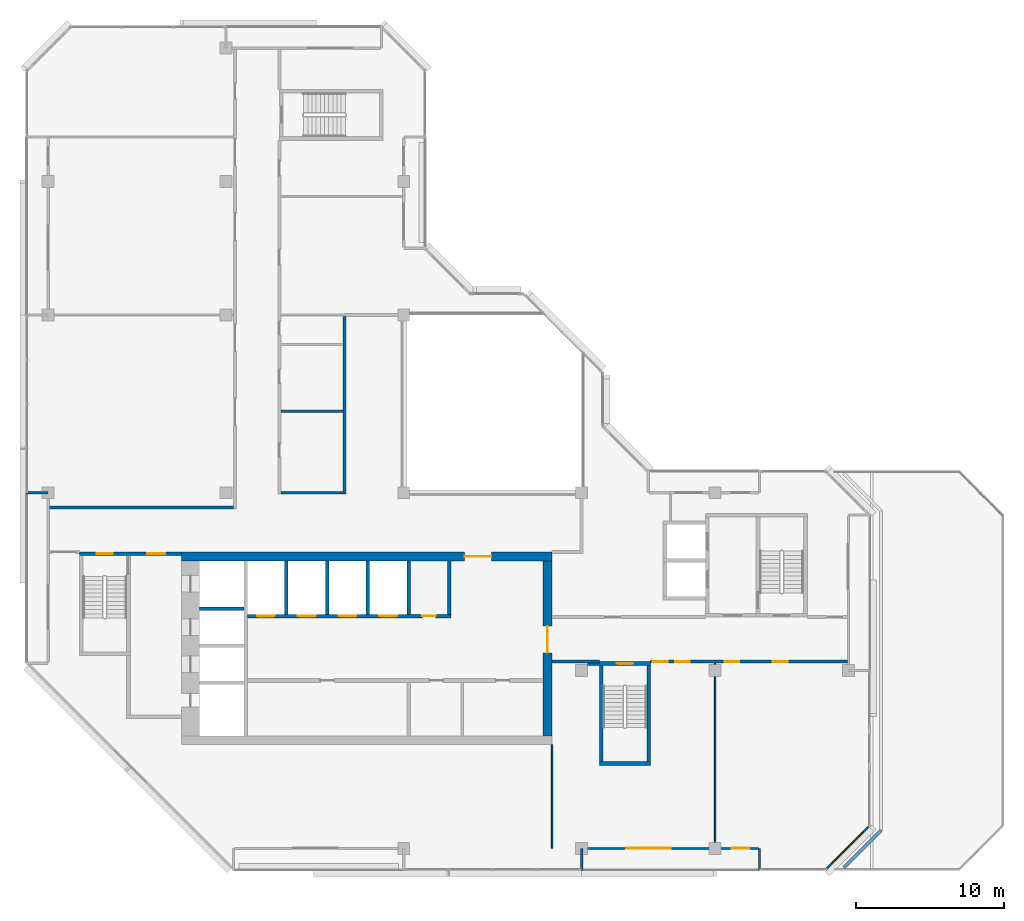
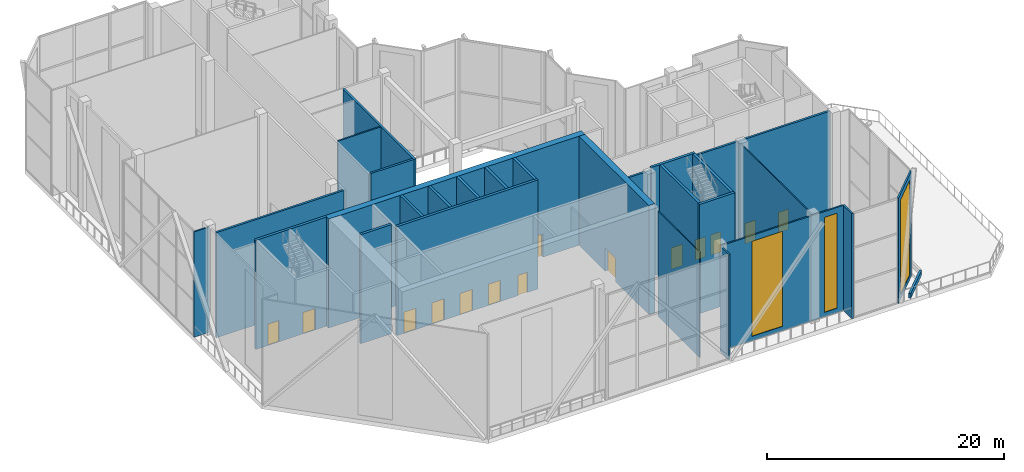
# One storey, part 9 of 16: 28 walls, 14 doors, 3 windows, 17 openings.
"""IFC4 building model written with IfcOpenShell, lengths in metres."""

from ifc_helpers import new_model, si_unit, direction, frame, frame_2d, origin, place, context, subcontext, project, spatial, rectangle, extrude, material, layer, layer_set, type_object, element, fill, save


model = new_model("IFC4")

# Units and contexts
model_context = context("Model", 3, precision=1e-05, world=origin(), true_north=direction((0.0, 1.0)))
body_context = subcontext(model_context, "Body", "Model", "MODEL_VIEW")
ifc_project = project(units=[si_unit("LENGTHUNIT", "METRE"), si_unit("AREAUNIT", "SQUARE_METRE"), si_unit("VOLUMEUNIT", "CUBIC_METRE"), si_unit("PLANEANGLEUNIT", "RADIAN"), si_unit("MASSUNIT", "GRAM", prefix="KILO")], contexts=[model_context])

# Site, building, storey
site_placement = place(None, origin())
site = spatial("IfcSite", under=ifc_project, at=site_placement, CompositionType="ELEMENT")
building_placement = place(site_placement, origin())
building = spatial("IfcBuilding", under=site, at=building_placement, Name="Chenar Terraces", CompositionType="ELEMENT")
storey_placement = place(building_placement, frame((0.0, 0.0, 327.64990234375)))
storey = spatial("IfcBuildingStorey", under=building, at=storey_placement, Name="L77", CompositionType="ELEMENT", Elevation=327.64990234375)

# Wall, openings, doors
ifc_material_1 = material(Name="Concrete C50/60", Category="concrete")
ifc_layer_1 = layer(ifc_material_1, 0.25)
ifc_layer_set_1 = layer_set([ifc_layer_1], Name="Concrete C50/60")
wall_type_1 = type_object("IfcWallType", Name="Core wall 250 Concrete C50/60", PredefinedType="SHEAR", material=ifc_layer_set_1)
wall_1_placement = place(storey_placement, frame((13.449951171875, 15.675048828125, 0.0), z_axis=(0.0, 0.0, 1.0), x_axis=(1.0, 0.0, 0.0)))
wall_1 = element("IfcWall", 1, at=wall_1_placement, inside=storey, type_object=wall_type_1, Name="Core wall NF L77", PredefinedType="SHEAR", context=body_context, shape_type="SweptSolid", body=[
    extrude(rectangle(XDim=13.75, YDim=0.25, at=frame_2d((6.875, 0.0))), origin(), (0.0, 0.0, 1.0), 11.25),
])
opening_1_placement = place(wall_1_placement, frame((0.64990234375, 0.0, 0.0)))
opening_1 = element("IfcOpeningElement", 2, at=opening_1_placement, cuts=wall_1, Name="Opening DL77-LD1", PredefinedType="OPENING", context=body_context, shape_type="SweptSolid", body=[
    extrude(rectangle(XDim=1.199951171875, YDim=2.199951171875, at=frame_2d((0.60009765625, 1.10009765625))), frame((0.0, 0.135009765625, 0.0), z_axis=(0.0, -1.0, 0.0), x_axis=(1.0, 0.0, 0.0)), (0.0, 0.0, 1.0), 0.27001953125),
])
opening_2_placement = place(wall_1_placement, frame((3.39990234375, 0.0, 0.0)))
opening_2 = element("IfcOpeningElement", 3, at=opening_2_placement, cuts=wall_1, Name="Opening DL77-LD2", PredefinedType="OPENING", context=body_context, shape_type="SweptSolid", body=[
    extrude(rectangle(XDim=1.199951171875, YDim=2.199951171875, at=frame_2d((0.60009765625, 1.10009765625))), frame((0.0, 0.135009765625, 0.0), z_axis=(0.0, -1.0, 0.0), x_axis=(1.0, 0.0, 0.0)), (0.0, 0.0, 1.0), 0.27001953125),
])
opening_3_placement = place(wall_1_placement, frame((6.14990234375, 0.0, 0.0)))
opening_3 = element("IfcOpeningElement", 4, at=opening_3_placement, cuts=wall_1, Name="Opening DL77-LD3", PredefinedType="OPENING", context=body_context, shape_type="SweptSolid", body=[
    extrude(rectangle(XDim=1.199951171875, YDim=2.199951171875, at=frame_2d((0.60009765625, 1.10009765625))), frame((0.0, 0.135009765625, 0.0), z_axis=(0.0, -1.0, 0.0), x_axis=(1.0, 0.0, 0.0)), (0.0, 0.0, 1.0), 0.27001953125),
])
opening_4_placement = place(wall_1_placement, frame((8.89990234375, 0.0, 0.0)))
opening_4 = element("IfcOpeningElement", 5, at=opening_4_placement, cuts=wall_1, Name="Opening DL77-LD4", PredefinedType="OPENING", context=body_context, shape_type="SweptSolid", body=[
    extrude(rectangle(XDim=1.199951171875, YDim=2.199951171875, at=frame_2d((0.60009765625, 1.10009765625))), frame((0.0, 0.135009765625, 0.0), z_axis=(0.0, -1.0, 0.0), x_axis=(1.0, 0.0, 0.0)), (0.0, 0.0, 1.0), 0.27001953125),
])
opening_5_placement = place(wall_1_placement, frame((11.800048828125, 0.0, 0.0)))
opening_5 = element("IfcOpeningElement", 6, at=opening_5_placement, cuts=wall_1, Name="Opening DL77-C15", PredefinedType="OPENING", context=body_context, shape_type="SweptSolid", body=[
    extrude(rectangle(XDim=0.89990234375, YDim=2.10009765625, at=frame_2d((0.449951171875, 1.050048828125))), frame((0.0, 0.135009765625, 0.0), z_axis=(0.0, -1.0, 0.0), x_axis=(1.0, 0.0, 0.0)), (0.0, 0.0, 1.0), 0.27001953125),
])
ifc_material_2 = material(Name="Stainless steel", Category="steel")
door_type_1 = type_object("IfcDoorType", Name="Lift landing door 1200 x 2200 sliding", OperationType="DOUBLE_DOOR_SLIDING", PredefinedType="DOOR", material=ifc_material_2)
door_1_placement = place(opening_1_placement, origin())
door_1 = element("IfcDoor", 7, at=door_1_placement, inside=storey, type_object=door_type_1, Name="Landing door H1", OperationType="DOUBLE_DOOR_SLIDING", OverallHeight=2.199951171875, OverallWidth=1.199951171875, PredefinedType="DOOR", context=body_context, shape_type="SweptSolid", body=[
    extrude(rectangle(XDim=1.199951171875, YDim=2.199951171875, at=frame_2d((0.60009765625, 1.10009765625))), frame((0.0, 0.02490234375, 0.0), z_axis=(0.0, -1.0, 0.0), x_axis=(1.0, 0.0, 0.0)), (0.0, 0.0, 1.0), 0.050048828125),
])
fill(opening_1, door_1)
door_2_placement = place(opening_2_placement, origin())
door_2 = element("IfcDoor", 8, at=door_2_placement, inside=storey, type_object=door_type_1, Name="Landing door H2", OperationType="DOUBLE_DOOR_SLIDING", OverallHeight=2.199951171875, OverallWidth=1.199951171875, PredefinedType="DOOR", context=body_context, shape_type="SweptSolid", body=[
    extrude(rectangle(XDim=1.199951171875, YDim=2.199951171875, at=frame_2d((0.60009765625, 1.10009765625))), frame((0.0, 0.02490234375, 0.0), z_axis=(0.0, -1.0, 0.0), x_axis=(1.0, 0.0, 0.0)), (0.0, 0.0, 1.0), 0.050048828125),
])
fill(opening_2, door_2)
door_3_placement = place(opening_3_placement, origin())
door_3 = element("IfcDoor", 9, at=door_3_placement, inside=storey, type_object=door_type_1, Name="Landing door H3", OperationType="DOUBLE_DOOR_SLIDING", OverallHeight=2.199951171875, OverallWidth=1.199951171875, PredefinedType="DOOR", context=body_context, shape_type="SweptSolid", body=[
    extrude(rectangle(XDim=1.199951171875, YDim=2.199951171875, at=frame_2d((0.60009765625, 1.10009765625))), frame((0.0, 0.02490234375, 0.0), z_axis=(0.0, -1.0, 0.0), x_axis=(1.0, 0.0, 0.0)), (0.0, 0.0, 1.0), 0.050048828125),
])
fill(opening_3, door_3)
door_4_placement = place(opening_4_placement, origin())
door_4 = element("IfcDoor", 10, at=door_4_placement, inside=storey, type_object=door_type_1, Name="Landing door H4", OperationType="DOUBLE_DOOR_SLIDING", OverallHeight=2.199951171875, OverallWidth=1.199951171875, PredefinedType="DOOR", context=body_context, shape_type="SweptSolid", body=[
    extrude(rectangle(XDim=1.199951171875, YDim=2.199951171875, at=frame_2d((0.60009765625, 1.10009765625))), frame((0.0, 0.02490234375, 0.0), z_axis=(0.0, -1.0, 0.0), x_axis=(1.0, 0.0, 0.0)), (0.0, 0.0, 1.0), 0.050048828125),
])
fill(opening_4, door_4)
ifc_material_3 = material(Name="Steel-framed fire-resisting door leaf", Category="steel")
door_type_2 = type_object("IfcDoorType", Name="Riser fire door FD60 900 x 2100", OperationType="SINGLE_SWING_LEFT", PredefinedType="DOOR", material=ifc_material_3)
door_5_placement = place(opening_5_placement, origin())
door_5 = element("IfcDoor", 11, at=door_5_placement, inside=storey, type_object=door_type_2, Name="Core room door DL77-C15", OperationType="SINGLE_SWING_RIGHT", OverallHeight=2.10009765625, OverallWidth=0.89990234375, PredefinedType="DOOR", context=body_context, shape_type="SweptSolid", body=[
    extrude(rectangle(XDim=0.89990234375, YDim=2.10009765625, at=frame_2d((0.449951171875, 1.050048828125))), frame((0.0, 0.02490234375, 0.0), z_axis=(0.0, -1.0, 0.0), x_axis=(1.0, 0.0, 0.0)), (0.0, 0.0, 1.0), 0.050048828125),
])
fill(opening_5, door_5)

# Walls
wall_2_placement = place(storey_placement, frame((10.199951171875, 16.175048828125, 0.0), z_axis=(0.0, 0.0, 1.0), x_axis=(1.0, 0.0, 0.0)))
element("IfcWall", 12, at=wall_2_placement, inside=storey, type_object=wall_type_1, Name="Core wall HW2 L77", PredefinedType="SHEAR", context=body_context, shape_type="SweptSolid", body=[
    extrude(rectangle(XDim=3.0, YDim=0.25, at=frame_2d((1.5, 0.0))), origin(), (0.0, 0.0, 1.0), 11.25),
])
for number, where, z_axis, x_axis, name in (
    (13, (16.074951171875, 15.800048828125, 0.0), (0.0, 0.0, 1.0), (0.0, 1.0, 0.0), "Core wall NS0 L77"),
    (14, (18.824951171875, 15.800048828125, 0.0), (0.0, 0.0, 1.0), (0.0, 1.0, 0.0), "Core wall NS1 L77"),
    (15, (21.574951171875, 15.800048828125, 0.0), (0.0, 0.0, 1.0), (0.0, 1.0, 0.0), "Core wall NS2 L77"),
    (16, (24.324951171875, 15.800048828125, 0.0), (0.0, 0.0, 1.0), (0.0, 1.0, 0.0), "Core wall NS3 L77"),
    (17, (27.074951171875, 15.800048828125, 0.0), (0.0, 0.0, 1.0), (0.0, 1.0, 0.0), "Core wall NE L77"),
):
    element("IfcWall", number, at=place(storey_placement, frame(where, z_axis=z_axis, x_axis=x_axis)), inside=storey, type_object=wall_type_1, Name=name, PredefinedType="SHEAR", context=body_context, shape_type="SweptSolid", body=[
        extrude(rectangle(XDim=3.599853515625, YDim=0.25, at=frame_2d((1.7998046875, 0.0))), origin(), (0.0, 0.0, 1.0), 11.25),
    ])

# Wall, openings, doors
wall_3_placement = place(storey_placement, frame((2.10009765625, 19.875, 0.0), z_axis=(0.0, 0.0, 1.0), x_axis=(1.0, 0.0, 0.0)))
wall_3 = element("IfcWall", 18, at=wall_3_placement, inside=storey, type_object=wall_type_1, Name="Core wall A_N L77", PredefinedType="SHEAR", context=body_context, shape_type="SweptSolid", body=[
    extrude(rectangle(XDim=6.89990234375, YDim=0.25, at=frame_2d((3.449951171875, 0.0))), origin(), (0.0, 0.0, 1.0), 11.25),
])
opening_6_placement = place(wall_3_placement, frame((1.175048828125, 0.0, 0.0)))
opening_6 = element("IfcOpeningElement", 19, at=opening_6_placement, cuts=wall_3, Name="Opening DL77-C5", PredefinedType="OPENING", context=body_context, shape_type="SweptSolid", body=[
    extrude(rectangle(XDim=1.10009765625, YDim=2.199951171875, at=frame_2d((0.550048828125, 1.10009765625))), frame((0.0, 0.135009765625, 0.0), z_axis=(0.0, -1.0, 0.0), x_axis=(1.0, 0.0, 0.0)), (0.0, 0.0, 1.0), 0.27001953125),
])
opening_7_placement = place(wall_3_placement, frame((4.60009765625, 0.0, 0.0)))
opening_7 = element("IfcOpeningElement", 20, at=opening_7_placement, cuts=wall_3, Name="Opening DL77-C6", PredefinedType="OPENING", context=body_context, shape_type="SweptSolid", body=[
    extrude(rectangle(XDim=1.199951171875, YDim=2.199951171875, at=frame_2d((0.60009765625, 1.10009765625))), frame((0.0, 0.135009765625, 0.0), z_axis=(0.0, -1.0, 0.0), x_axis=(1.0, 0.0, 0.0)), (0.0, 0.0, 1.0), 0.27001953125),
])
ifc_material_4 = material(Name="Steel-framed fire-resisting door leaf", Category="steel")
door_type_3 = type_object("IfcDoorType", Name="Lobby fire door FD60 1200 x 2200", OperationType="SINGLE_SWING_LEFT", PredefinedType="DOOR", material=ifc_material_4)
door_6_placement = place(opening_7_placement, frame((1.199951171875, 0.0, 0.0), z_axis=(0.0, 0.0, 1.0), x_axis=(-1.0, 0.0, 0.0)))
door_6 = element("IfcDoor", 21, at=door_6_placement, inside=storey, type_object=door_type_3, Name="Core door DL77-C6", OperationType="SINGLE_SWING_LEFT", OverallHeight=2.199951171875, OverallWidth=1.199951171875, PredefinedType="DOOR", context=body_context, shape_type="SweptSolid", body=[
    extrude(rectangle(XDim=1.199951171875, YDim=2.199951171875, at=frame_2d((0.60009765625, 1.10009765625))), frame((0.0, 0.02490234375, 0.0), z_axis=(0.0, -1.0, 0.0), x_axis=(1.0, 0.0, 0.0)), (0.0, 0.0, 1.0), 0.050048828125),
])
fill(opening_7, door_6)
ifc_material_5 = material(Name="Steel-framed fire-resisting door leaf", Category="steel")
door_type_4 = type_object("IfcDoorType", Name="Stair fire door FD60 1100 x 2200", OperationType="SINGLE_SWING_LEFT", PredefinedType="DOOR", material=ifc_material_5)
door_7_placement = place(opening_6_placement, origin())
door_7 = element("IfcDoor", 22, at=door_7_placement, inside=storey, type_object=door_type_4, Name="Stair door DL77-C5", OperationType="SINGLE_SWING_LEFT", OverallHeight=2.199951171875, OverallWidth=1.10009765625, PredefinedType="DOOR", context=body_context, shape_type="SweptSolid", body=[
    extrude(rectangle(XDim=1.10009765625, YDim=2.199951171875, at=frame_2d((0.550048828125, 1.10009765625))), frame((0.0, 0.02490234375, 0.0), z_axis=(0.0, -1.0, 0.0), x_axis=(1.0, 0.0, 0.0)), (0.0, 0.0, 1.0), 0.050048828125),
])
fill(opening_6, door_7)

# Wall
wall_4_placement = place(storey_placement, frame((37.199951171875, 5.72509765625, 0.0), z_axis=(0.0, 0.0, 1.0), x_axis=(1.0, 0.0, 0.0)))
element("IfcWall", 23, at=wall_4_placement, inside=storey, type_object=wall_type_1, Name="Core wall ST2_S L77", PredefinedType="SHEAR", context=body_context, shape_type="SweptSolid", body=[
    extrude(rectangle(XDim=3.449951171875, YDim=0.25, at=frame_2d((1.72509765625, 0.0))), origin(), (0.0, 0.0, 1.0), 11.25),
])

# Wall, opening, door
wall_5_placement = place(storey_placement, frame((36.39990234375, 12.47509765625, 0.0), z_axis=(0.0, 0.0, 1.0), x_axis=(1.0, 0.0, 0.0)))
wall_5 = element("IfcWall", 24, at=wall_5_placement, inside=storey, type_object=wall_type_1, Name="Core wall ST2_N L77", PredefinedType="SHEAR", context=body_context, shape_type="SweptSolid", body=[
    extrude(rectangle(XDim=4.25, YDim=0.25, at=frame_2d((2.125, 0.0))), origin(), (0.0, 0.0, 1.0), 11.25),
])
opening_8_placement = place(wall_5_placement, frame((1.97509765625, 0.0, 0.0)))
opening_8 = element("IfcOpeningElement", 25, at=opening_8_placement, cuts=wall_5, Name="Opening DL77-C7", PredefinedType="OPENING", context=body_context, shape_type="SweptSolid", body=[
    extrude(rectangle(XDim=1.10009765625, YDim=2.199951171875, at=frame_2d((0.550048828125, 1.10009765625))), frame((0.0, 0.135009765625, 0.0), z_axis=(0.0, -1.0, 0.0), x_axis=(1.0, 0.0, 0.0)), (0.0, 0.0, 1.0), 0.27001953125),
])
door_8_placement = place(opening_8_placement, frame((1.10009765625, 0.0, 0.0), z_axis=(0.0, 0.0, 1.0), x_axis=(-1.0, 0.0, 0.0)))
door_8 = element("IfcDoor", 26, at=door_8_placement, inside=storey, type_object=door_type_4, Name="Stair door DL77-C7", OperationType="SINGLE_SWING_LEFT", OverallHeight=2.199951171875, OverallWidth=1.10009765625, PredefinedType="DOOR", context=body_context, shape_type="SweptSolid", body=[
    extrude(rectangle(XDim=1.10009765625, YDim=2.199951171875, at=frame_2d((0.550048828125, 1.10009765625))), frame((0.0, 0.02490234375, 0.0), z_axis=(0.0, -1.0, 0.0), x_axis=(1.0, 0.0, 0.0)), (0.0, 0.0, 1.0), 0.050048828125),
])
fill(opening_8, door_8)

# Walls
for number, where, z_axis, x_axis, name in (
    (27, (37.324951171875, 5.85009765625, 0.0), (0.0, 0.0, 1.0), (0.0, 1.0, 0.0), "Core wall ST2_W L77"),
    (28, (40.52490234375, 5.85009765625, 0.0), (0.0, 0.0, 1.0), (0.0, 1.0, 0.0), "Core wall ST2_E L77"),
):
    element("IfcWall", number, at=place(storey_placement, frame(where, z_axis=z_axis, x_axis=x_axis)), inside=storey, type_object=wall_type_1, Name=name, PredefinedType="SHEAR", context=body_context, shape_type="SweptSolid", body=[
        extrude(rectangle(XDim=6.5, YDim=0.25, at=frame_2d((3.25, 0.0))), origin(), (0.0, 0.0, 1.0), 11.25),
    ])

# Wall, opening, door
ifc_material_6 = material(Name="Concrete C50/60", Category="concrete")
ifc_layer_2 = layer(ifc_material_6, 0.60009765625)
ifc_layer_set_2 = layer_set([ifc_layer_2], Name="Concrete C50/60")
wall_type_2 = type_object("IfcWallType", Name="Core wall 600 Concrete C50/60", PredefinedType="SHEAR", material=ifc_layer_set_2)
wall_6_placement = place(storey_placement, frame((9.0, 19.699951171875, 0.0), z_axis=(0.0, 0.0, 1.0), x_axis=(1.0, 0.0, 0.0)))
wall_6 = element("IfcWall", 29, at=wall_6_placement, inside=storey, type_object=wall_type_2, Name="Core wall N L77", PredefinedType="SHEAR", context=body_context, shape_type="SweptSolid", body=[
    extrude(rectangle(XDim=25.0, YDim=0.60009765625, at=frame_2d((12.5, 0.0))), origin(), (0.0, 0.0, 1.0), 11.25),
])
opening_9_placement = place(wall_6_placement, frame((19.10009765625, 0.0, 0.0)))
opening_9 = element("IfcOpeningElement", 30, at=opening_9_placement, cuts=wall_6, Name="Opening DL77-C2", PredefinedType="OPENING", context=body_context, shape_type="SweptSolid", body=[
    extrude(rectangle(XDim=1.800048828125, YDim=2.39990234375, at=frame_2d((0.89990234375, 1.199951171875))), frame((0.0, 0.31005859375, 0.0), z_axis=(0.0, -1.0, 0.0), x_axis=(1.0, 0.0, 0.0)), (0.0, 0.0, 1.0), 0.6201171875),
])
ifc_material_7 = material(Name="Steel-framed fire-resisting door leaf", Category="steel")
door_type_5 = type_object("IfcDoorType", Name="Core entrance double fire door FD60 1800 x 2400", OperationType="DOUBLE_DOOR_SINGLE_SWING", PredefinedType="DOOR", material=ifc_material_7)
door_9_placement = place(opening_9_placement, frame((1.800048828125, 0.0, 0.0), z_axis=(0.0, 0.0, 1.0), x_axis=(-1.0, 0.0, 0.0)))
door_9 = element("IfcDoor", 31, at=door_9_placement, inside=storey, type_object=door_type_5, Name="Core door DL77-C2", OperationType="DOUBLE_DOOR_SINGLE_SWING", OverallHeight=2.39990234375, OverallWidth=1.800048828125, PredefinedType="DOOR", context=body_context, shape_type="SweptSolid", body=[
    extrude(rectangle(XDim=1.800048828125, YDim=2.39990234375, at=frame_2d((0.89990234375, 1.199951171875))), frame((0.0, 0.02490234375, 0.0), z_axis=(0.0, -1.0, 0.0), x_axis=(1.0, 0.0, 0.0)), (0.0, 0.0, 1.0), 0.050048828125),
])
fill(opening_9, door_9)

wall_7_placement = place(storey_placement, frame((33.699951171875, 7.60009765625, 0.0), z_axis=(0.0, 0.0, 1.0), x_axis=(0.0, 1.0, 0.0)))
wall_7 = element("IfcWall", 32, at=wall_7_placement, inside=storey, type_object=wall_type_2, Name="Core wall E L77", PredefinedType="SHEAR", context=body_context, shape_type="SweptSolid", body=[
    extrude(rectangle(XDim=11.7998046875, YDim=0.60009765625, at=frame_2d((5.89990234375, 0.0))), origin(), (0.0, 0.0, 1.0), 11.25),
])
opening_10_placement = place(wall_7_placement, frame((5.60009765625, 0.0, 0.0)))
opening_10 = element("IfcOpeningElement", 33, at=opening_10_placement, cuts=wall_7, Name="Opening DL77-C1", PredefinedType="OPENING", context=body_context, shape_type="SweptSolid", body=[
    extrude(rectangle(XDim=1.800048828125, YDim=2.39990234375, at=frame_2d((0.89990234375, 1.199951171875))), frame((0.0, 0.31005859375, 0.0), z_axis=(0.0, -1.0, 0.0), x_axis=(1.0, 0.0, 0.0)), (0.0, 0.0, 1.0), 0.6201171875),
])
door_10_placement = place(opening_10_placement, origin())
door_10 = element("IfcDoor", 34, at=door_10_placement, inside=storey, type_object=door_type_5, Name="Core door DL77-C1", OperationType="DOUBLE_DOOR_SINGLE_SWING", OverallHeight=2.39990234375, OverallWidth=1.800048828125, PredefinedType="DOOR", context=body_context, shape_type="SweptSolid", body=[
    extrude(rectangle(XDim=1.800048828125, YDim=2.39990234375, at=frame_2d((0.89990234375, 1.199951171875))), frame((0.0, 0.02490234375, 0.0), z_axis=(0.0, -1.0, 0.0), x_axis=(1.0, 0.0, 0.0)), (0.0, 0.0, 1.0), 0.050048828125),
])
fill(opening_10, door_10)

# Walls
ifc_material_8 = material(Name="Gypsum board on steel studs with fire boards", Category="steel")
ifc_layer_3 = layer(ifc_material_8, 0.199951171875)
ifc_layer_set_3 = layer_set([ifc_layer_3], Name="Gypsum board on steel studs with fire boards")
wall_type_3 = type_object("IfcWallType", Name="Corridor wall 200", PredefinedType="PARTITIONING", material=ifc_layer_set_3)
wall_8_placement = place(storey_placement, frame((0.073974609375, 23.0, 0.0), z_axis=(0.0, 0.0, 1.0), x_axis=(1.0, 0.0, 0.0)))
element("IfcWall", 35, at=wall_8_placement, inside=storey, type_object=wall_type_3, Name="Partition L77-004", PredefinedType="PARTITIONING", context=body_context, shape_type="SweptSolid", body=[
    extrude(rectangle(XDim=12.426025390625, YDim=0.199951171875, at=frame_2d((6.212890625, 0.0))), origin(), (0.0, 0.0, 1.0), 10.85009765625),
])
wall_9_placement = place(storey_placement, frame((15.699951171875, 24.0, 0.0), z_axis=(0.0, 0.0, 1.0), x_axis=(1.0, 0.0, 0.0)))
element("IfcWall", 36, at=wall_9_placement, inside=storey, type_object=wall_type_3, Name="Partition L77-008", PredefinedType="PARTITIONING", context=body_context, shape_type="SweptSolid", body=[
    extrude(rectangle(XDim=4.199951171875, YDim=0.199951171875, at=frame_2d((2.10009765625, 0.0))), origin(), (0.0, 0.0, 1.0), 10.85009765625),
])
wall_10_placement = place(storey_placement, frame((20.0, 23.89990234375, 0.0), z_axis=(0.0, 0.0, 1.0), x_axis=(0.0, 1.0, 0.0)))
element("IfcWall", 37, at=wall_10_placement, inside=storey, type_object=wall_type_3, Name="Partition L77-013", PredefinedType="PARTITIONING", context=body_context, shape_type="SweptSolid", body=[
    extrude(rectangle(XDim=12.0, YDim=0.199951171875, at=frame_2d((6.0, 0.0))), origin(), (0.0, 0.0, 1.0), 10.85009765625),
])
wall_11_placement = place(storey_placement, frame((34.0, 12.60009765625, 0.0), z_axis=(0.0, 0.0, 1.0), x_axis=(1.0, 0.0, 0.0)))
element("IfcWall", 38, at=wall_11_placement, inside=storey, type_object=wall_type_3, Name="Partition L77-016", PredefinedType="PARTITIONING", context=body_context, shape_type="SweptSolid", body=[
    extrude(rectangle(XDim=3.199951171875, YDim=0.199951171875, at=frame_2d((1.60009765625, 0.0))), origin(), (0.0, 0.0, 1.0), 10.85009765625),
])

# Wall, openings, doors
wall_12_placement = place(storey_placement, frame((40.64990234375, 12.60009765625, 0.0), z_axis=(0.0, 0.0, 1.0), x_axis=(1.0, 0.0, 0.0)))
wall_12 = element("IfcWall", 39, at=wall_12_placement, inside=storey, type_object=wall_type_3, Name="Partition L77-020", PredefinedType="PARTITIONING", context=body_context, shape_type="SweptSolid", body=[
    extrude(rectangle(XDim=13.276123046875, YDim=0.199951171875, at=frame_2d((6.63818359375, 0.0))), origin(), (0.0, 0.0, 1.0), 10.85009765625),
])
opening_11_placement = place(wall_12_placement, frame((1.64990234375, 0.0, 0.0)))
opening_11 = element("IfcOpeningElement", 40, at=opening_11_placement, cuts=wall_12, Name="Opening DL77-3", PredefinedType="OPENING", context=body_context, shape_type="SweptSolid", body=[
    extrude(rectangle(XDim=1.0, YDim=2.10009765625, at=frame_2d((0.5, 1.050048828125))), frame((0.0, 0.10986328125, 0.0), z_axis=(0.0, -1.0, 0.0), x_axis=(1.0, 0.0, 0.0)), (0.0, 0.0, 1.0), 0.219970703125),
])
opening_12_placement = place(wall_12_placement, frame((0.14990234375, 0.0, 0.0)))
opening_12 = element("IfcOpeningElement", 41, at=opening_12_placement, cuts=wall_12, Name="Opening DL77-4", PredefinedType="OPENING", context=body_context, shape_type="SweptSolid", body=[
    extrude(rectangle(XDim=1.0, YDim=2.10009765625, at=frame_2d((0.5, 1.050048828125))), frame((0.0, 0.10986328125, 0.0), z_axis=(0.0, -1.0, 0.0), x_axis=(1.0, 0.0, 0.0)), (0.0, 0.0, 1.0), 0.219970703125),
])
opening_13_placement = place(wall_12_placement, frame((8.25, 0.0, 0.0)))
opening_13 = element("IfcOpeningElement", 42, at=opening_13_placement, cuts=wall_12, Name="Opening DL77-5", PredefinedType="OPENING", context=body_context, shape_type="SweptSolid", body=[
    extrude(rectangle(XDim=1.0, YDim=2.10009765625, at=frame_2d((0.5, 1.050048828125))), frame((0.0, 0.10986328125, 0.0), z_axis=(0.0, -1.0, 0.0), x_axis=(1.0, 0.0, 0.0)), (0.0, 0.0, 1.0), 0.219970703125),
])
opening_14_placement = place(wall_12_placement, frame((5.0, 0.0, 0.0)))
opening_14 = element("IfcOpeningElement", 43, at=opening_14_placement, cuts=wall_12, Name="Opening DL77-6", PredefinedType="OPENING", context=body_context, shape_type="SweptSolid", body=[
    extrude(rectangle(XDim=1.0, YDim=2.10009765625, at=frame_2d((0.5, 1.050048828125))), frame((0.0, 0.10986328125, 0.0), z_axis=(0.0, -1.0, 0.0), x_axis=(1.0, 0.0, 0.0)), (0.0, 0.0, 1.0), 0.219970703125),
])
ifc_material_9 = material(Name="Steel-framed fire-resisting door leaf", Category="steel")
door_type_6 = type_object("IfcDoorType", Name="Fire door FD60 1000 x 2100", OperationType="SINGLE_SWING_LEFT", PredefinedType="DOOR", material=ifc_material_9)
door_11_placement = place(opening_11_placement, origin())
door_11 = element("IfcDoor", 44, at=door_11_placement, inside=storey, type_object=door_type_6, Name="Door DL77-3", OperationType="SINGLE_SWING_RIGHT", OverallHeight=2.10009765625, OverallWidth=1.0, PredefinedType="DOOR", context=body_context, shape_type="SweptSolid", body=[
    extrude(rectangle(XDim=1.0, YDim=2.10009765625, at=frame_2d((0.5, 1.050048828125))), frame((0.0, 0.02490234375, 0.0), z_axis=(0.0, -1.0, 0.0), x_axis=(1.0, 0.0, 0.0)), (0.0, 0.0, 1.0), 0.050048828125),
])
fill(opening_11, door_11)
door_12_placement = place(opening_12_placement, origin())
door_12 = element("IfcDoor", 45, at=door_12_placement, inside=storey, type_object=door_type_6, Name="Door DL77-4", OperationType="SINGLE_SWING_RIGHT", OverallHeight=2.10009765625, OverallWidth=1.0, PredefinedType="DOOR", context=body_context, shape_type="SweptSolid", body=[
    extrude(rectangle(XDim=1.0, YDim=2.10009765625, at=frame_2d((0.5, 1.050048828125))), frame((0.0, 0.02490234375, 0.0), z_axis=(0.0, -1.0, 0.0), x_axis=(1.0, 0.0, 0.0)), (0.0, 0.0, 1.0), 0.050048828125),
])
fill(opening_12, door_12)
door_13_placement = place(opening_13_placement, frame((1.0, 0.0, 0.0), z_axis=(0.0, 0.0, 1.0), x_axis=(-1.0, 0.0, 0.0)))
door_13 = element("IfcDoor", 46, at=door_13_placement, inside=storey, type_object=door_type_6, Name="Door DL77-5", OperationType="SINGLE_SWING_LEFT", OverallHeight=2.10009765625, OverallWidth=1.0, PredefinedType="DOOR", context=body_context, shape_type="SweptSolid", body=[
    extrude(rectangle(XDim=1.0, YDim=2.10009765625, at=frame_2d((0.5, 1.050048828125))), frame((0.0, 0.02490234375, 0.0), z_axis=(0.0, -1.0, 0.0), x_axis=(1.0, 0.0, 0.0)), (0.0, 0.0, 1.0), 0.050048828125),
])
fill(opening_13, door_13)
door_14_placement = place(opening_14_placement, frame((1.0, 0.0, 0.0), z_axis=(0.0, 0.0, 1.0), x_axis=(-1.0, 0.0, 0.0)))
door_14 = element("IfcDoor", 47, at=door_14_placement, inside=storey, type_object=door_type_6, Name="Door DL77-6", OperationType="SINGLE_SWING_RIGHT", OverallHeight=2.10009765625, OverallWidth=1.0, PredefinedType="DOOR", context=body_context, shape_type="SweptSolid", body=[
    extrude(rectangle(XDim=1.0, YDim=2.10009765625, at=frame_2d((0.5, 1.050048828125))), frame((0.0, 0.02490234375, 0.0), z_axis=(0.0, -1.0, 0.0), x_axis=(1.0, 0.0, 0.0)), (0.0, 0.0, 1.0), 0.050048828125),
])
fill(opening_14, door_14)

# Wall, openings, windows
ifc_material_10 = material(Name="Aluminium framed glazing", Category="aluminium")
ifc_layer_4 = layer(ifc_material_10, 0.14990234375)
ifc_layer_set_4 = layer_set([ifc_layer_4], Name="Aluminium framed glazing")
wall_type_4 = type_object("IfcWallType", Name="Glazed loggia back wall 150", PredefinedType="SOLIDWALL", material=ifc_layer_set_4)
wall_13_placement = place(storey_placement, frame((36.074951171875, 0.0, 0.0), z_axis=(0.0, 0.0, 1.0), x_axis=(1.0, 0.0, 0.0)))
wall_13 = element("IfcWall", 48, at=wall_13_placement, inside=storey, type_object=wall_type_4, Name="Glazed loggia back wall", PredefinedType="SOLIDWALL", context=body_context, shape_type="SweptSolid", body=[
    extrude(rectangle(XDim=11.85009765625, YDim=0.14990234375, at=frame_2d((5.925048828125, 0.0))), origin(), (0.0, 0.0, 1.0), 10.85009765625),
])
opening_15_placement = place(wall_13_placement, frame((2.925048828125, 0.0, 0.449951171875)))
opening_15 = element("IfcOpeningElement", 49, at=opening_15_placement, cuts=wall_13, Name="Opening W300x980", PredefinedType="OPENING", context=body_context, shape_type="SweptSolid", body=[
    extrude(rectangle(XDim=3.0, YDim=9.800048828125, at=frame_2d((1.5, 4.89990234375))), frame((0.0, 0.0849609375, 0.0), z_axis=(0.0, -1.0, 0.0), x_axis=(1.0, 0.0, 0.0)), (0.0, 0.0, 1.0), 0.169921875),
])
opening_16_placement = place(wall_13_placement, frame((10.03759765625, 0.0, 0.449951171875)))
opening_16 = element("IfcOpeningElement", 50, at=opening_16_placement, cuts=wall_13, Name="Opening W120x980", PredefinedType="OPENING", context=body_context, shape_type="SweptSolid", body=[
    extrude(rectangle(XDim=1.199951171875, YDim=9.800048828125, at=frame_2d((0.60009765625, 4.89990234375))), frame((0.0, 0.0849609375, 0.0), z_axis=(0.0, -1.0, 0.0), x_axis=(1.0, 0.0, 0.0)), (0.0, 0.0, 1.0), 0.169921875),
])
ifc_material_11 = material(Name="Low emissivity double glazing, aluminium frame", Category="aluminium")
window_type_1 = type_object("IfcWindowType", Name="Fixed light 1200 x 9800", PartitioningType="SINGLE_PANEL", PredefinedType="WINDOW", material=ifc_material_11)
window_1_placement = place(opening_16_placement, origin())
window_1 = element("IfcWindow", 51, at=window_1_placement, inside=storey, type_object=window_type_1, Name="Window", OverallHeight=9.800048828125, OverallWidth=1.199951171875, PartitioningType="SINGLE_PANEL", PredefinedType="WINDOW", context=body_context, shape_type="SweptSolid", body=[
    extrude(rectangle(XDim=1.199951171875, YDim=9.800048828125, at=frame_2d((0.60009765625, 4.89990234375))), frame((0.0, 0.030029296875, 0.0), z_axis=(0.0, -1.0, 0.0), x_axis=(1.0, 0.0, 0.0)), (0.0, 0.0, 1.0), 0.06005859375),
])
fill(opening_16, window_1)
ifc_material_12 = material(Name="Low emissivity double glazing, aluminium frame", Category="aluminium")
window_type_2 = type_object("IfcWindowType", Name="Fixed light 3000 x 9800", PartitioningType="SINGLE_PANEL", PredefinedType="WINDOW", material=ifc_material_12)
window_2_placement = place(opening_15_placement, origin())
window_2 = element("IfcWindow", 52, at=window_2_placement, inside=storey, type_object=window_type_2, Name="Window", OverallHeight=9.800048828125, OverallWidth=3.0, PartitioningType="SINGLE_PANEL", PredefinedType="WINDOW", context=body_context, shape_type="SweptSolid", body=[
    extrude(rectangle(XDim=3.0, YDim=9.800048828125, at=frame_2d((1.5, 4.89990234375))), frame((0.0, 0.030029296875, 0.0), z_axis=(0.0, -1.0, 0.0), x_axis=(1.0, 0.0, 0.0)), (0.0, 0.0, 1.0), 0.06005859375),
])
fill(opening_15, window_2)

# Walls
ifc_material_13 = material(Name="Gypsum board on steel studs", Category="steel")
ifc_layer_5 = layer(ifc_material_13, 0.10009765625)
ifc_layer_set_5 = layer_set([ifc_layer_5], Name="Gypsum board on steel studs")
wall_type_5 = type_object("IfcWallType", Name="Gypsum partition 100", PredefinedType="PARTITIONING", material=ifc_layer_set_5)
wall_14_placement = place(storey_placement, frame((34.0, 0.0, 0.0), z_axis=(0.0, 0.0, 1.0), x_axis=(0.0, 1.0, 0.0)))
element("IfcWall", 53, at=wall_14_placement, inside=storey, type_object=wall_type_5, Name="Partition L77-015", PredefinedType="PARTITIONING", context=body_context, shape_type="SweptSolid", body=[
    extrude(rectangle(XDim=7.0, YDim=0.10009765625, at=frame_2d((3.5, 0.0))), origin(), (0.0, 0.0, 1.0), 10.85009765625),
])
wall_15_placement = place(storey_placement, frame((45.0, 0.073974609375, 0.0), z_axis=(0.0, 0.0, 1.0), x_axis=(0.0, 1.0, 0.0)))
element("IfcWall", 54, at=wall_15_placement, inside=storey, type_object=wall_type_5, Name="Partition L77-022", PredefinedType="PARTITIONING", context=body_context, shape_type="SweptSolid", body=[
    extrude(rectangle(XDim=12.426025390625, YDim=0.10009765625, at=frame_2d((6.212890625, 0.0))), origin(), (0.0, 0.0, 1.0), 10.85009765625),
])
ifc_material_14 = material(Name="Terracotta cladding on insulated backing", Category="masonry")
ifc_layer_6 = layer(ifc_material_14, 0.14990234375)
ifc_layer_set_6 = layer_set([ifc_layer_6], Name="Terracotta cladding on insulated backing")
wall_type_6 = type_object("IfcWallType", Name="Loggia return wall 150", PredefinedType="SOLIDWALL", material=ifc_layer_set_6)
for number, where, z_axis, x_axis, name in (
    (55, (-1.5, 24.0, 0.0), (0.0, 0.0, 1.0), (1.0, 0.0, 0.0), "Loggia return wall"),
    (56, (36.0, -1.5, 0.0), (0.0, 0.0, 1.0), (0.0, 1.0, 0.0), "Loggia return wall"),
    (57, (48.0, -1.5, 0.0), (0.0, 0.0, 1.0), (0.0, 1.0, 0.0), "Loggia return wall"),
):
    element("IfcWall", number, at=place(storey_placement, frame(where, z_axis=z_axis, x_axis=x_axis)), inside=storey, type_object=wall_type_6, Name=name, PredefinedType="SOLIDWALL", context=body_context, shape_type="SweptSolid", body=[
        extrude(rectangle(XDim=1.5, YDim=0.14990234375, at=frame_2d((0.75, 0.0))), origin(), (0.0, 0.0, 1.0), 10.85009765625),
    ])
ifc_material_15 = material(Name="Terracotta cladding on insulated backing", Category="masonry")
ifc_layer_7 = layer(ifc_material_15, 0.199951171875)
ifc_layer_set_7 = layer_set([ifc_layer_7], Name="Terracotta cladding on insulated backing")
wall_type_7 = type_object("IfcWallType", Name="Terrace parapet upstand 200", PredefinedType="PARAPET", material=ifc_layer_set_7)
wall_16_placement = place(storey_placement, frame((56.199951171875, 1.2099609375, 0.0), z_axis=(0.0, 0.0, 1.0), x_axis=(-0.707106781187, -0.707106781187, 0.0)))
element("IfcWall", 58, at=wall_16_placement, inside=storey, type_object=wall_type_7, Name="Terrace parapet", PredefinedType="PARAPET", context=body_context, shape_type="SweptSolid", body=[
    extrude(rectangle(XDim=3.5498046875, YDim=0.199951171875, at=frame_2d((1.77490234375, 0.0))), origin(), (0.0, 0.0, 1.0), 0.5),
])

# Wall, opening, window
ifc_material_16 = material(Name="Terracotta cladding on insulated backing", Category="masonry")
ifc_layer_8 = layer(ifc_material_16, 0.14990234375)
ifc_layer_set_8 = layer_set([ifc_layer_8], Name="Terracotta cladding on insulated backing")
wall_type_8 = type_object("IfcWallType", Name="Terracotta rainscreen wall 150", PredefinedType="SOLIDWALL", material=ifc_layer_set_8)
wall_17_placement = place(storey_placement, frame((52.447021484375, -1.447021484375, 0.0), z_axis=(0.0, 0.0, 1.0), x_axis=(0.707106781187, 0.707106781187, 0.0)))
wall_17 = element("IfcWall", 59, at=wall_17_placement, inside=storey, type_object=wall_type_8, Name="Terracotta rainscreen wall", PredefinedType="SOLIDWALL", context=body_context, shape_type="SweptSolid", body=[
    extrude(rectangle(XDim=4.24267578125, YDim=0.14990234375, at=frame_2d((2.121337890625, 0.0))), origin(), (0.0, 0.0, 1.0), 10.85009765625),
])
opening_17_placement = place(wall_17_placement, frame((0.621337890625, 0.0, 0.449951171875)))
opening_17 = element("IfcOpeningElement", 60, at=opening_17_placement, cuts=wall_17, Name="Opening W300x980", PredefinedType="OPENING", context=body_context, shape_type="SweptSolid", body=[
    extrude(rectangle(XDim=3.0, YDim=9.800048828125, at=frame_2d((1.5, 4.89990234375))), frame((0.0, 0.0849609375, 0.0), z_axis=(0.0, -1.0, 0.0), x_axis=(1.0, 0.0, 0.0)), (0.0, 0.0, 1.0), 0.169921875),
])
window_3_placement = place(opening_17_placement, origin())
window_3 = element("IfcWindow", 61, at=window_3_placement, inside=storey, type_object=window_type_2, Name="Window", OverallHeight=9.800048828125, OverallWidth=3.0, PartitioningType="SINGLE_PANEL", PredefinedType="WINDOW", context=body_context, shape_type="SweptSolid", body=[
    extrude(rectangle(XDim=3.0, YDim=9.800048828125, at=frame_2d((1.5, 4.89990234375))), frame((0.0, 0.030029296875, 0.0), z_axis=(0.0, -1.0, 0.0), x_axis=(1.0, 0.0, 0.0)), (0.0, 0.0, 1.0), 0.06005859375),
])
fill(opening_17, window_3)

# Wall
ifc_material_17 = material(Name="Moisture-resistant gypsum board on steel studs", Category="steel")
ifc_layer_9 = layer(ifc_material_17, 0.14990234375)
ifc_layer_set_9 = layer_set([ifc_layer_9], Name="Moisture-resistant gypsum board on steel studs")
wall_type_9 = type_object("IfcWallType", Name="Wet-room partition 150", PredefinedType="PARTITIONING", material=ifc_layer_set_9)
wall_18_placement = place(storey_placement, frame((15.699951171875, 29.5, 0.0), z_axis=(0.0, 0.0, 1.0), x_axis=(1.0, 0.0, 0.0)))
element("IfcWall", 62, at=wall_18_placement, inside=storey, type_object=wall_type_9, Name="Partition L77-009", PredefinedType="PARTITIONING", context=body_context, shape_type="SweptSolid", body=[
    extrude(rectangle(XDim=4.199951171875, YDim=0.14990234375, at=frame_2d((2.10009765625, 0.0))), origin(), (0.0, 0.0, 1.0), 10.85009765625),
])

save(model, "model.ifc")
